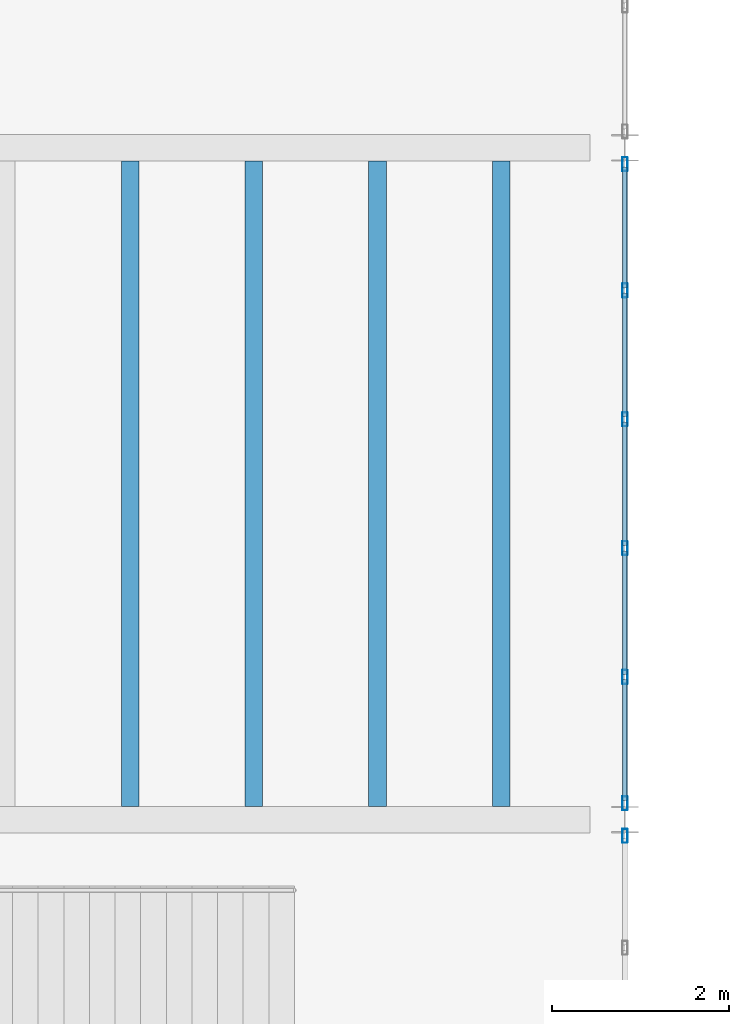
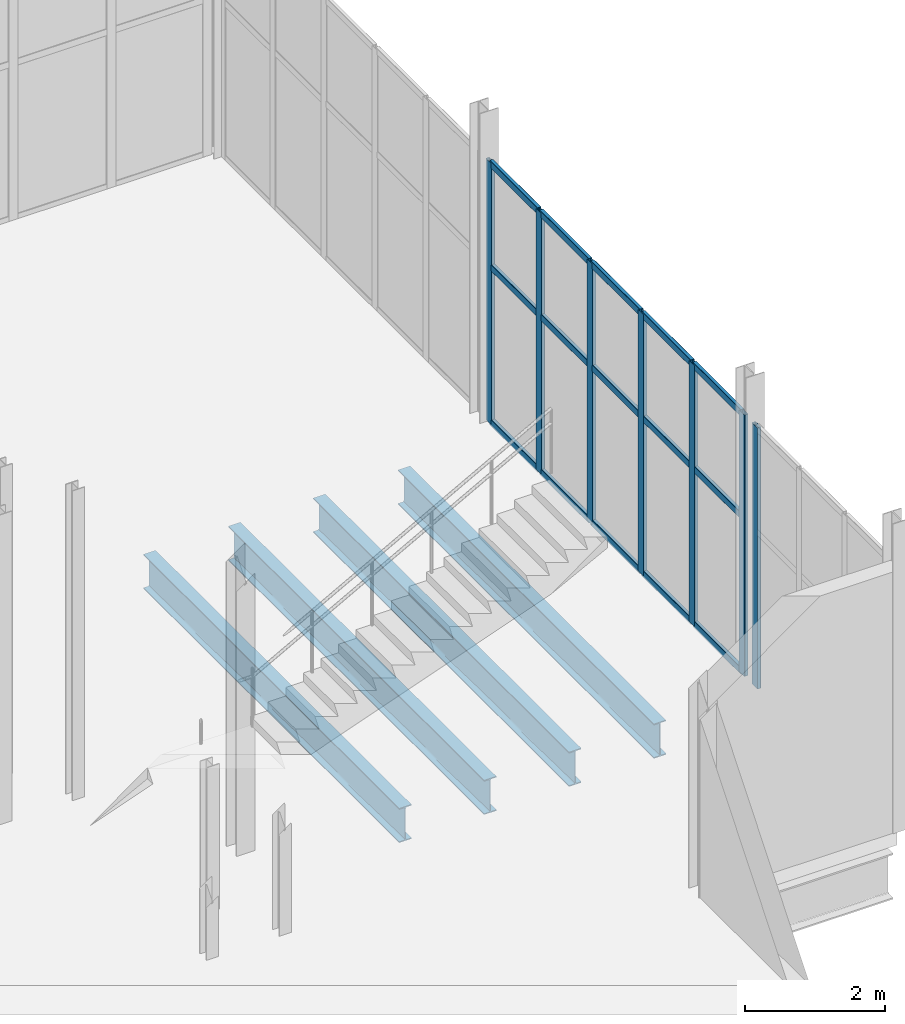
# One storey, part 28 of 95: 22 members, 4 beams, 2 elements without a shape of their own.
"""IFC4 building model written with IfcOpenShell, lengths in metres."""

from ifc_helpers import new_model, si_unit, direction, frame, origin, origin_2d, place, context, subcontext, project, spatial, hollow_rectangle, i_section, extrude, material, material_profile, profile_set, type_object, element, aggregate, save


model = new_model("IFC4")

# Units and contexts
model_context = context("Model", 3, precision=1e-05, world=origin(), true_north=direction((0.0, 1.0)))
body_context = subcontext(model_context, "Body", "Model", "MODEL_VIEW")
ifc_project = project(units=[si_unit("LENGTHUNIT", "METRE"), si_unit("AREAUNIT", "SQUARE_METRE"), si_unit("VOLUMEUNIT", "CUBIC_METRE"), si_unit("PLANEANGLEUNIT", "RADIAN"), si_unit("MASSUNIT", "GRAM", prefix="KILO")], contexts=[model_context])

# Site, building, storey
site_placement = place(None, origin())
site = spatial("IfcSite", under=ifc_project, at=site_placement, CompositionType="ELEMENT")
building_placement = place(site_placement, origin())
building = spatial("IfcBuilding", under=site, at=building_placement, Name="Shengluoqiao Park Theatre", CompositionType="ELEMENT")
storey_placement = place(building_placement, origin())
storey = spatial("IfcBuildingStorey", under=building, at=storey_placement, Name="L00", CompositionType="ELEMENT", Elevation=0.0)

# Curtain wall, member
ifc_material_1 = material(Name="Aluminium 6063-T6", Category="aluminium")
curtain_wall_type = type_object("IfcCurtainWallType", Name="ENV-CW-COURT", PredefinedType="NOTDEFINED", material=ifc_material_1)
curtain_wall_1_placement = place(storey_placement, origin())
curtain_wall_1 = element("IfcCurtainWall", 1, at=curtain_wall_1_placement, inside=storey, type_object=curtain_wall_type, Name="L00 Curtain Wall CWX-L00-0149", PredefinedType="NOTDEFINED")
ifc_material_profile_1 = material_profile(ifc_material_1, hollow_rectangle(XDim=0.06005859375, YDim=0.159912109375, WallThickness=0.00390625, InnerFilletRadius=0.00390625, OuterFilletRadius=0.008056640625, at=origin_2d()), Name="ALU MULLION 160x60x4")
ifc_profile_set_1 = profile_set([ifc_material_profile_1], Name="Aluminium 6063-T6")
member_type_1 = type_object("IfcMemberType", Name="ENV-MUL-160", PredefinedType="MULLION", material=ifc_profile_set_1)
member_1_placement = place(storey_placement, frame((44.39990234375, 7.416015625, 0.0), z_axis=(0.0, 0.0, 1.0), x_axis=(-1.0, 0.0, 0.0)))
member_1 = element("IfcMember", 2, at=member_1_placement, type_object=member_type_1, Name="CW-05 mullion 4", PredefinedType="MULLION", context=body_context, shape_type="SweptSolid", body=[
    extrude(hollow_rectangle(XDim=0.06005859375, YDim=0.159912109375, WallThickness=0.00390625, InnerFilletRadius=0.00390625, OuterFilletRadius=0.008056640625, at=origin_2d()), origin(), (0.0, 0.0, 1.0), 4.555908203125),
])
aggregate(curtain_wall_1, [member_1])

# Curtain wall, members
curtain_wall_2_placement = place(storey_placement, origin())
curtain_wall_2 = element("IfcCurtainWall", 3, at=curtain_wall_2_placement, inside=storey, type_object=curtain_wall_type, Name="L00 Curtain Wall CWX-L00-0150", PredefinedType="NOTDEFINED")
member_2_placement = place(storey_placement, frame((44.39990234375, 7.783935546875, 0.0), z_axis=(0.0, 0.0, 1.0), x_axis=(-1.0, 0.0, 0.0)))
member_2 = element("IfcMember", 4, at=member_2_placement, type_object=member_type_1, Name="CW-05 mullion 1", PredefinedType="MULLION", context=body_context, shape_type="SweptSolid", body=[
    extrude(hollow_rectangle(XDim=0.06005859375, YDim=0.159912109375, WallThickness=0.00390625, InnerFilletRadius=0.00390625, OuterFilletRadius=0.008056640625, at=origin_2d()), origin(), (0.0, 0.0, 1.0), 4.555908203125),
])
member_3_placement = place(storey_placement, frame((44.39990234375, 9.21240234375, 0.0), z_axis=(0.0, 0.0, 1.0), x_axis=(-1.0, 0.0, 0.0)))
member_3 = element("IfcMember", 5, at=member_3_placement, type_object=member_type_1, Name="CW-05 mullion 2", PredefinedType="MULLION", context=body_context, shape_type="SweptSolid", body=[
    extrude(hollow_rectangle(XDim=0.06005859375, YDim=0.159912109375, WallThickness=0.00390625, InnerFilletRadius=0.00390625, OuterFilletRadius=0.008056640625, at=origin_2d()), origin(), (0.0, 0.0, 1.0), 4.555908203125),
])
member_4_placement = place(storey_placement, frame((44.39990234375, 10.6708984375, 0.0), z_axis=(0.0, 0.0, 1.0), x_axis=(-1.0, 0.0, 0.0)))
member_4 = element("IfcMember", 6, at=member_4_placement, type_object=member_type_1, Name="CW-05 mullion 3", PredefinedType="MULLION", context=body_context, shape_type="SweptSolid", body=[
    extrude(hollow_rectangle(XDim=0.06005859375, YDim=0.159912109375, WallThickness=0.00390625, InnerFilletRadius=0.00390625, OuterFilletRadius=0.008056640625, at=origin_2d()), origin(), (0.0, 0.0, 1.0), 4.555908203125),
])
member_5_placement = place(storey_placement, frame((44.39990234375, 12.129150390625, 0.0), z_axis=(0.0, 0.0, 1.0), x_axis=(-1.0, 0.0, 0.0)))
member_5 = element("IfcMember", 7, at=member_5_placement, type_object=member_type_1, Name="CW-05 mullion 4", PredefinedType="MULLION", context=body_context, shape_type="SweptSolid", body=[
    extrude(hollow_rectangle(XDim=0.06005859375, YDim=0.159912109375, WallThickness=0.00390625, InnerFilletRadius=0.00390625, OuterFilletRadius=0.008056640625, at=origin_2d()), origin(), (0.0, 0.0, 1.0), 4.555908203125),
])
member_6_placement = place(storey_placement, frame((44.39990234375, 13.587646484375, 0.0), z_axis=(0.0, 0.0, 1.0), x_axis=(-1.0, 0.0, 0.0)))
member_6 = element("IfcMember", 8, at=member_6_placement, type_object=member_type_1, Name="CW-05 mullion 5", PredefinedType="MULLION", context=body_context, shape_type="SweptSolid", body=[
    extrude(hollow_rectangle(XDim=0.06005859375, YDim=0.159912109375, WallThickness=0.00390625, InnerFilletRadius=0.00390625, OuterFilletRadius=0.008056640625, at=origin_2d()), origin(), (0.0, 0.0, 1.0), 4.555908203125),
])
member_7_placement = place(storey_placement, frame((44.39990234375, 15.01611328125, 0.0), z_axis=(0.0, 0.0, 1.0), x_axis=(-1.0, 0.0, 0.0)))
member_7 = element("IfcMember", 9, at=member_7_placement, type_object=member_type_1, Name="CW-05 mullion 6", PredefinedType="MULLION", context=body_context, shape_type="SweptSolid", body=[
    extrude(hollow_rectangle(XDim=0.06005859375, YDim=0.159912109375, WallThickness=0.00390625, InnerFilletRadius=0.00390625, OuterFilletRadius=0.008056640625, at=origin_2d()), origin(), (0.0, 0.0, 1.0), 4.555908203125),
])
ifc_material_profile_2 = material_profile(ifc_material_1, hollow_rectangle(XDim=0.06005859375, YDim=0.1201171875, WallThickness=0.00390625, InnerFilletRadius=0.00390625, OuterFilletRadius=0.008056640625, at=origin_2d()), Name="ALU TRANSOM 120x60x4")
ifc_profile_set_2 = profile_set([ifc_material_profile_2], Name="Aluminium 6063-T6")
member_type_2 = type_object("IfcMemberType", Name="ENV-TRN-120", PredefinedType="USERDEFINED", material=ifc_profile_set_2)
member_8_placement = place(storey_placement, frame((44.39990234375, 7.81396484375, 0.030029296875), z_axis=(0.0, 1.0, 0.0), x_axis=(-1.0, 0.0, 0.0)))
member_8 = element("IfcMember", 10, at=member_8_placement, type_object=member_type_2, Name="CW-05 transom 1.1", ObjectType="TRANSOM", PredefinedType="USERDEFINED", context=body_context, shape_type="SweptSolid", body=[
    extrude(hollow_rectangle(XDim=0.06005859375, YDim=0.1201171875, WallThickness=0.00390625, InnerFilletRadius=0.00390625, OuterFilletRadius=0.008056640625, at=origin_2d()), origin(), (0.0, 0.0, 1.0), 1.368408203125),
])
member_9_placement = place(storey_placement, frame((44.39990234375, 7.81396484375, 2.73388671875), z_axis=(0.0, 1.0, 0.0), x_axis=(-1.0, 0.0, 0.0)))
member_9 = element("IfcMember", 11, at=member_9_placement, type_object=member_type_2, Name="CW-05 transom 1.2", ObjectType="TRANSOM", PredefinedType="USERDEFINED", context=body_context, shape_type="SweptSolid", body=[
    extrude(hollow_rectangle(XDim=0.06005859375, YDim=0.1201171875, WallThickness=0.00390625, InnerFilletRadius=0.00390625, OuterFilletRadius=0.008056640625, at=origin_2d()), origin(), (0.0, 0.0, 1.0), 1.368408203125),
])
member_10_placement = place(storey_placement, frame((44.39990234375, 7.81396484375, 4.52587890625), z_axis=(0.0, 1.0, 0.0), x_axis=(-1.0, 0.0, 0.0)))
member_10 = element("IfcMember", 12, at=member_10_placement, type_object=member_type_2, Name="CW-05 transom 1.3", ObjectType="TRANSOM", PredefinedType="USERDEFINED", context=body_context, shape_type="SweptSolid", body=[
    extrude(hollow_rectangle(XDim=0.06005859375, YDim=0.1201171875, WallThickness=0.00390625, InnerFilletRadius=0.00390625, OuterFilletRadius=0.008056640625, at=origin_2d()), origin(), (0.0, 0.0, 1.0), 1.368408203125),
])
member_11_placement = place(storey_placement, frame((44.39990234375, 9.242431640625, 0.030029296875), z_axis=(0.0, 1.0, 0.0), x_axis=(-1.0, 0.0, 0.0)))
member_11 = element("IfcMember", 13, at=member_11_placement, type_object=member_type_2, Name="CW-05 transom 2.1", ObjectType="TRANSOM", PredefinedType="USERDEFINED", context=body_context, shape_type="SweptSolid", body=[
    extrude(hollow_rectangle(XDim=0.06005859375, YDim=0.1201171875, WallThickness=0.00390625, InnerFilletRadius=0.00390625, OuterFilletRadius=0.008056640625, at=origin_2d()), origin(), (0.0, 0.0, 1.0), 1.3984375),
])
member_12_placement = place(storey_placement, frame((44.39990234375, 9.242431640625, 2.73388671875), z_axis=(0.0, 1.0, 0.0), x_axis=(-1.0, 0.0, 0.0)))
member_12 = element("IfcMember", 14, at=member_12_placement, type_object=member_type_2, Name="CW-05 transom 2.2", ObjectType="TRANSOM", PredefinedType="USERDEFINED", context=body_context, shape_type="SweptSolid", body=[
    extrude(hollow_rectangle(XDim=0.06005859375, YDim=0.1201171875, WallThickness=0.00390625, InnerFilletRadius=0.00390625, OuterFilletRadius=0.008056640625, at=origin_2d()), origin(), (0.0, 0.0, 1.0), 1.3984375),
])
member_13_placement = place(storey_placement, frame((44.39990234375, 9.242431640625, 4.52587890625), z_axis=(0.0, 1.0, 0.0), x_axis=(-1.0, 0.0, 0.0)))
member_13 = element("IfcMember", 15, at=member_13_placement, type_object=member_type_2, Name="CW-05 transom 2.3", ObjectType="TRANSOM", PredefinedType="USERDEFINED", context=body_context, shape_type="SweptSolid", body=[
    extrude(hollow_rectangle(XDim=0.06005859375, YDim=0.1201171875, WallThickness=0.00390625, InnerFilletRadius=0.00390625, OuterFilletRadius=0.008056640625, at=origin_2d()), origin(), (0.0, 0.0, 1.0), 1.3984375),
])
member_14_placement = place(storey_placement, frame((44.39990234375, 10.70068359375, 0.030029296875), z_axis=(0.0, 1.0, 0.0), x_axis=(-1.0, 0.0, 0.0)))
member_14 = element("IfcMember", 16, at=member_14_placement, type_object=member_type_2, Name="CW-05 transom 3.1", ObjectType="TRANSOM", PredefinedType="USERDEFINED", context=body_context, shape_type="SweptSolid", body=[
    extrude(hollow_rectangle(XDim=0.06005859375, YDim=0.1201171875, WallThickness=0.00390625, InnerFilletRadius=0.00390625, OuterFilletRadius=0.008056640625, at=origin_2d()), origin(), (0.0, 0.0, 1.0), 1.3984375),
])
member_15_placement = place(storey_placement, frame((44.39990234375, 10.70068359375, 2.73388671875), z_axis=(0.0, 1.0, 0.0), x_axis=(-1.0, 0.0, 0.0)))
member_15 = element("IfcMember", 17, at=member_15_placement, type_object=member_type_2, Name="CW-05 transom 3.2", ObjectType="TRANSOM", PredefinedType="USERDEFINED", context=body_context, shape_type="SweptSolid", body=[
    extrude(hollow_rectangle(XDim=0.06005859375, YDim=0.1201171875, WallThickness=0.00390625, InnerFilletRadius=0.00390625, OuterFilletRadius=0.008056640625, at=origin_2d()), origin(), (0.0, 0.0, 1.0), 1.3984375),
])
member_16_placement = place(storey_placement, frame((44.39990234375, 10.70068359375, 4.52587890625), z_axis=(0.0, 1.0, 0.0), x_axis=(-1.0, 0.0, 0.0)))
member_16 = element("IfcMember", 18, at=member_16_placement, type_object=member_type_2, Name="CW-05 transom 3.3", ObjectType="TRANSOM", PredefinedType="USERDEFINED", context=body_context, shape_type="SweptSolid", body=[
    extrude(hollow_rectangle(XDim=0.06005859375, YDim=0.1201171875, WallThickness=0.00390625, InnerFilletRadius=0.00390625, OuterFilletRadius=0.008056640625, at=origin_2d()), origin(), (0.0, 0.0, 1.0), 1.3984375),
])
member_17_placement = place(storey_placement, frame((44.39990234375, 12.1591796875, 0.030029296875), z_axis=(0.0, 1.0, 0.0), x_axis=(-1.0, 0.0, 0.0)))
member_17 = element("IfcMember", 19, at=member_17_placement, type_object=member_type_2, Name="CW-05 transom 4.1", ObjectType="TRANSOM", PredefinedType="USERDEFINED", context=body_context, shape_type="SweptSolid", body=[
    extrude(hollow_rectangle(XDim=0.06005859375, YDim=0.1201171875, WallThickness=0.00390625, InnerFilletRadius=0.00390625, OuterFilletRadius=0.008056640625, at=origin_2d()), origin(), (0.0, 0.0, 1.0), 1.3984375),
])
member_18_placement = place(storey_placement, frame((44.39990234375, 12.1591796875, 2.73388671875), z_axis=(0.0, 1.0, 0.0), x_axis=(-1.0, 0.0, 0.0)))
member_18 = element("IfcMember", 20, at=member_18_placement, type_object=member_type_2, Name="CW-05 transom 4.2", ObjectType="TRANSOM", PredefinedType="USERDEFINED", context=body_context, shape_type="SweptSolid", body=[
    extrude(hollow_rectangle(XDim=0.06005859375, YDim=0.1201171875, WallThickness=0.00390625, InnerFilletRadius=0.00390625, OuterFilletRadius=0.008056640625, at=origin_2d()), origin(), (0.0, 0.0, 1.0), 1.3984375),
])
member_19_placement = place(storey_placement, frame((44.39990234375, 12.1591796875, 4.52587890625), z_axis=(0.0, 1.0, 0.0), x_axis=(-1.0, 0.0, 0.0)))
member_19 = element("IfcMember", 21, at=member_19_placement, type_object=member_type_2, Name="CW-05 transom 4.3", ObjectType="TRANSOM", PredefinedType="USERDEFINED", context=body_context, shape_type="SweptSolid", body=[
    extrude(hollow_rectangle(XDim=0.06005859375, YDim=0.1201171875, WallThickness=0.00390625, InnerFilletRadius=0.00390625, OuterFilletRadius=0.008056640625, at=origin_2d()), origin(), (0.0, 0.0, 1.0), 1.3984375),
])
member_20_placement = place(storey_placement, frame((44.39990234375, 13.61767578125, 0.030029296875), z_axis=(0.0, 1.0, 0.0), x_axis=(-1.0, 0.0, 0.0)))
member_20 = element("IfcMember", 22, at=member_20_placement, type_object=member_type_2, Name="CW-05 transom 5.1", ObjectType="TRANSOM", PredefinedType="USERDEFINED", context=body_context, shape_type="SweptSolid", body=[
    extrude(hollow_rectangle(XDim=0.06005859375, YDim=0.1201171875, WallThickness=0.00390625, InnerFilletRadius=0.00390625, OuterFilletRadius=0.008056640625, at=origin_2d()), origin(), (0.0, 0.0, 1.0), 1.368408203125),
])
member_21_placement = place(storey_placement, frame((44.39990234375, 13.61767578125, 2.73388671875), z_axis=(0.0, 1.0, 0.0), x_axis=(-1.0, 0.0, 0.0)))
member_21 = element("IfcMember", 23, at=member_21_placement, type_object=member_type_2, Name="CW-05 transom 5.2", ObjectType="TRANSOM", PredefinedType="USERDEFINED", context=body_context, shape_type="SweptSolid", body=[
    extrude(hollow_rectangle(XDim=0.06005859375, YDim=0.1201171875, WallThickness=0.00390625, InnerFilletRadius=0.00390625, OuterFilletRadius=0.008056640625, at=origin_2d()), origin(), (0.0, 0.0, 1.0), 1.368408203125),
])
member_22_placement = place(storey_placement, frame((44.39990234375, 13.61767578125, 4.52587890625), z_axis=(0.0, 1.0, 0.0), x_axis=(-1.0, 0.0, 0.0)))
member_22 = element("IfcMember", 24, at=member_22_placement, type_object=member_type_2, Name="CW-05 transom 5.3", ObjectType="TRANSOM", PredefinedType="USERDEFINED", context=body_context, shape_type="SweptSolid", body=[
    extrude(hollow_rectangle(XDim=0.06005859375, YDim=0.1201171875, WallThickness=0.00390625, InnerFilletRadius=0.00390625, OuterFilletRadius=0.008056640625, at=origin_2d()), origin(), (0.0, 0.0, 1.0), 1.368408203125),
])
aggregate(curtain_wall_2, [member_2, member_3, member_4, member_5, member_6, member_7, member_8, member_9, member_10, member_11, member_12, member_13, member_14, member_15, member_16, member_17, member_18, member_19, member_20, member_21, member_22])

# Beams
ifc_material_2 = material(Name="Steel Q355", Category="steel")
ifc_material_profile_3 = material_profile(ifc_material_2, i_section(OverallWidth=0.199951171875, OverallDepth=0.60009765625, WebThickness=0.010986328125, FlangeThickness=0.01708984375, FilletRadius=0.02001953125, at=origin_2d()), Name="HN 600x200x11x17")
ifc_profile_set_3 = profile_set([ifc_material_profile_3], Name="Steel Q355")
beam_type = type_object("IfcBeamType", Name="STR-BM-J-HN600", PredefinedType="JOIST", material=ifc_profile_set_3)
for number, where, z_axis, x_axis, name in (
    (25, (38.800048828125, 7.7451171875, -0.639892578125), (0.0, 1.0, 0.0), (-1.0, 0.0, 0.0), "L00 Composite Joist 00216"),
    (26, (40.199951171875, 7.7451171875, -0.639892578125), (0.0, 1.0, 0.0), (-1.0, 0.0, 0.0), "L00 Composite Joist 00217"),
    (27, (41.60009765625, 7.7451171875, -0.639892578125), (0.0, 1.0, 0.0), (-1.0, 0.0, 0.0), "L00 Composite Joist 00218"),
    (28, (43.0, 7.7451171875, -0.639892578125), (0.0, 1.0, 0.0), (-1.0, 0.0, 0.0), "L00 Composite Joist 00219"),
):
    element("IfcBeam", number, at=place(storey_placement, frame(where, z_axis=z_axis, x_axis=x_axis)), inside=storey, type_object=beam_type, Name=name, PredefinedType="JOIST", context=body_context, shape_type="SweptSolid", body=[
        extrude(i_section(OverallWidth=0.199951171875, OverallDepth=0.60009765625, WebThickness=0.010986328125, FlangeThickness=0.01708984375, FilletRadius=0.02001953125, at=origin_2d()), origin(), (0.0, 0.0, 1.0), 7.309814453125),
    ])

save(model, "model.ifc")
